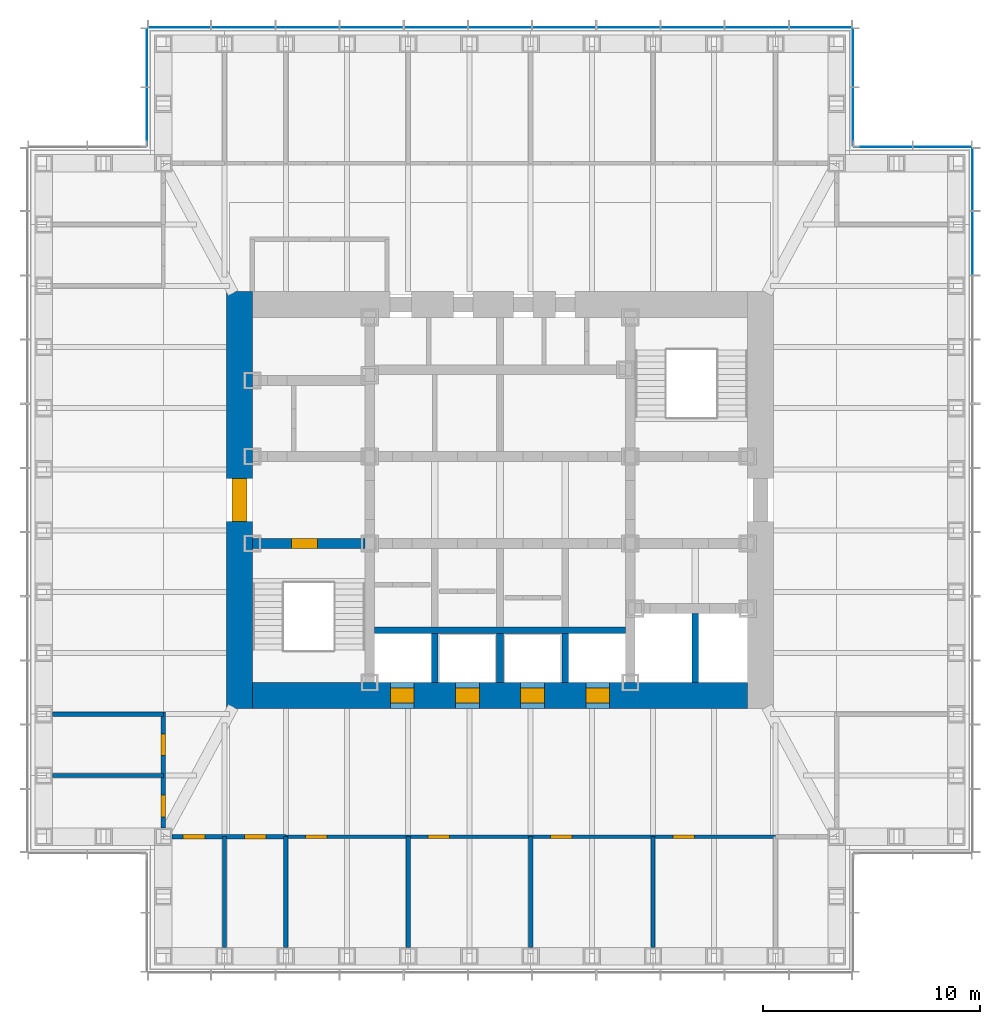
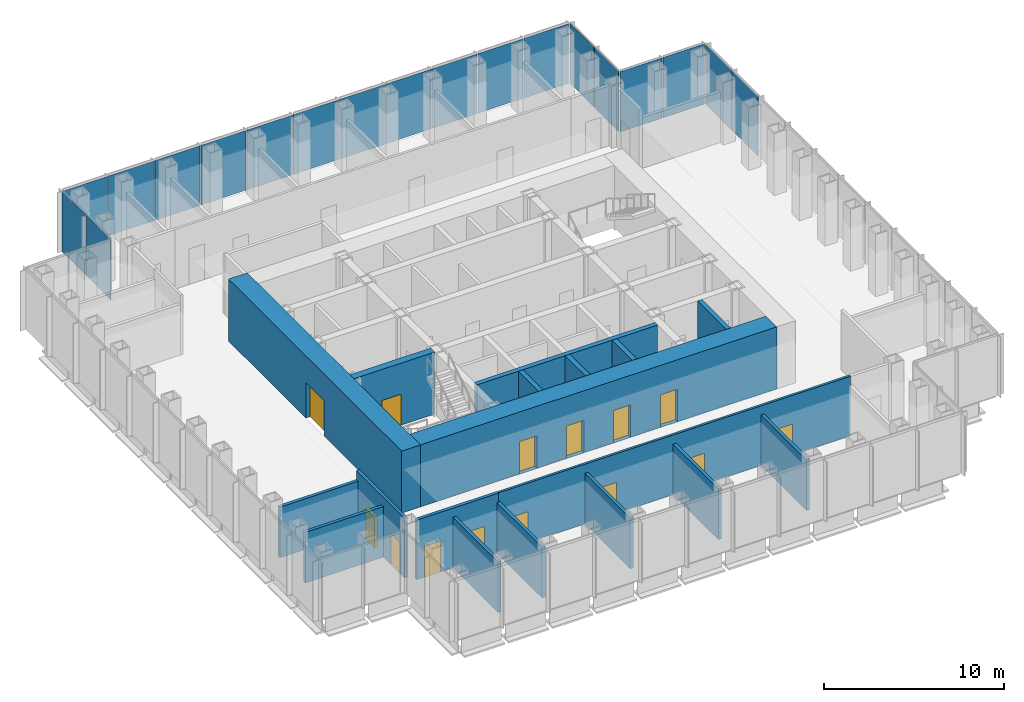
# One storey, part 8 of 17: 19 plates, 18 walls, 14 doors, 14 openings, 5 elements without a shape of their own.
"""IFC4 building model written with IfcOpenShell, lengths in metres."""

from ifc_helpers import new_model, si_unit, direction, frame, frame_2d, origin, origin_2d, place, context, subcontext, project, spatial, rectangle, extrude, material, layer, layer_set, type_object, element, fill, aggregate, save


model = new_model("IFC4")

# Units and contexts
model_context = context("Model", 3, precision=1e-05, world=origin(), true_north=direction((0.0, 1.0)))
body_context = subcontext(model_context, "Body", "Model", "MODEL_VIEW")
ifc_project = project(units=[si_unit("LENGTHUNIT", "METRE"), si_unit("AREAUNIT", "SQUARE_METRE"), si_unit("VOLUMEUNIT", "CUBIC_METRE"), si_unit("PLANEANGLEUNIT", "RADIAN"), si_unit("MASSUNIT", "GRAM", prefix="KILO")], contexts=[model_context])

# Site, building, storey
site_placement = place(None, origin())
site = spatial("IfcSite", under=ifc_project, at=site_placement, CompositionType="ELEMENT")
building_placement = place(site_placement, origin())
building = spatial("IfcBuilding", under=site, at=building_placement, Name="Daluyong Arena Tower", CompositionType="ELEMENT")
storey_placement = place(building_placement, frame((0.0, 0.0, 223.300048828125)))
storey = spatial("IfcBuildingStorey", under=building, at=storey_placement, Name="L50", CompositionType="ELEMENT", Elevation=223.300048828125)

# Curtain wall, plates
ifc_material_1 = material(Name="Bronze anodised aluminium and glass", Category="aluminium")
curtain_wall_type_1 = type_object("IfcCurtainWallType", Name="Curtain wall CW3", PredefinedType="USERDEFINED", material=ifc_material_1)
curtain_wall_1_placement = place(storey_placement, origin())
curtain_wall_1 = element("IfcCurtainWall", 1, at=curtain_wall_1_placement, inside=storey, type_object=curtain_wall_type_1, Name="curtain wall L50 E", ObjectType="UNITISED CURTAIN WALL", PredefinedType="USERDEFINED")
ifc_material_2 = material(Name="Tinted double glazed unit", Category="glass")
ifc_layer_1 = layer(ifc_material_2, 0.030029296875)
ifc_layer_set_1 = layer_set([ifc_layer_1], Name="Tinted double glazed unit")
plate_type_1 = type_object("IfcPlateType", Name="CW3 panel 30", PredefinedType="CURTAIN_PANEL", material=ifc_layer_set_1)
plate_1_placement = place(storey_placement, frame((77.75, 91.818115234375, 0.0), z_axis=(0.0, 0.0, 1.0), x_axis=(0.0, 1.0, 0.0)))
plate_1 = element("IfcPlate", 2, at=plate_1_placement, type_object=plate_type_1, Name="curtain wall L50 E panel 10", PredefinedType="CURTAIN_PANEL", context=body_context, shape_type="SweptSolid", body=[
    extrude(rectangle(XDim=2.884521484375, YDim=0.030029296875, at=origin_2d()), origin(), (0.0, 0.0, 1.0), 4.0400390625),
])
plate_2_placement = place(storey_placement, frame((77.75, 94.755126953125, 0.0), z_axis=(0.0, 0.0, 1.0), x_axis=(0.0, 1.0, 0.0)))
plate_2 = element("IfcPlate", 3, at=plate_2_placement, type_object=plate_type_1, Name="curtain wall L50 E panel 11", PredefinedType="CURTAIN_PANEL", context=body_context, shape_type="SweptSolid", body=[
    extrude(rectangle(XDim=2.849609375, YDim=0.030029296875, at=origin_2d()), origin(), (0.0, 0.0, 1.0), 4.0400390625),
])
aggregate(curtain_wall_1, [plate_1, plate_2])

curtain_wall_2_placement = place(storey_placement, origin())
curtain_wall_2 = element("IfcCurtainWall", 4, at=curtain_wall_2_placement, inside=storey, type_object=curtain_wall_type_1, Name="curtain wall L50 N", ObjectType="UNITISED CURTAIN WALL", PredefinedType="USERDEFINED")
plate_3_placement = place(storey_placement, frame((70.755126953125, 101.75, 0.0), z_axis=(0.0, 0.0, 1.0), x_axis=(-1.0, 0.0, 0.0)))
plate_3 = element("IfcPlate", 5, at=plate_3_placement, type_object=plate_type_1, Name="curtain wall L50 N panel 1", PredefinedType="CURTAIN_PANEL", context=body_context, shape_type="SweptSolid", body=[
    extrude(rectangle(XDim=2.849609375, YDim=0.030029296875, at=origin_2d()), origin(), (0.0, 0.0, 1.0), 4.0400390625),
])
plate_4_placement = place(storey_placement, frame((67.818115234375, 101.75, 0.0), z_axis=(0.0, 0.0, 1.0), x_axis=(-1.0, 0.0, 0.0)))
plate_4 = element("IfcPlate", 6, at=plate_4_placement, type_object=plate_type_1, Name="curtain wall L50 N panel 2", PredefinedType="CURTAIN_PANEL", context=body_context, shape_type="SweptSolid", body=[
    extrude(rectangle(XDim=2.884521484375, YDim=0.030029296875, at=origin_2d()), origin(), (0.0, 0.0, 1.0), 4.0400390625),
])
plate_5_placement = place(storey_placement, frame((64.863525390625, 101.75, 0.0), z_axis=(0.0, 0.0, 1.0), x_axis=(-1.0, 0.0, 0.0)))
plate_5 = element("IfcPlate", 7, at=plate_5_placement, type_object=plate_type_1, Name="curtain wall L50 N panel 3", PredefinedType="CURTAIN_PANEL", context=body_context, shape_type="SweptSolid", body=[
    extrude(rectangle(XDim=2.884521484375, YDim=0.030029296875, at=origin_2d()), origin(), (0.0, 0.0, 1.0), 4.0400390625),
])
plate_6_placement = place(storey_placement, frame((61.9091796875, 101.75, 0.0), z_axis=(0.0, 0.0, 1.0), x_axis=(-1.0, 0.0, 0.0)))
plate_6 = element("IfcPlate", 8, at=plate_6_placement, type_object=plate_type_1, Name="curtain wall L50 N panel 4", PredefinedType="CURTAIN_PANEL", context=body_context, shape_type="SweptSolid", body=[
    extrude(rectangle(XDim=2.884521484375, YDim=0.030029296875, at=origin_2d()), origin(), (0.0, 0.0, 1.0), 4.0400390625),
])
plate_7_placement = place(storey_placement, frame((58.95458984375, 101.75, 0.0), z_axis=(0.0, 0.0, 1.0), x_axis=(-1.0, 0.0, 0.0)))
plate_7 = element("IfcPlate", 9, at=plate_7_placement, type_object=plate_type_1, Name="curtain wall L50 N panel 5", PredefinedType="CURTAIN_PANEL", context=body_context, shape_type="SweptSolid", body=[
    extrude(rectangle(XDim=2.884521484375, YDim=0.030029296875, at=origin_2d()), origin(), (0.0, 0.0, 1.0), 4.0400390625),
])
plate_8_placement = place(storey_placement, frame((56.0, 101.75, 0.0), z_axis=(0.0, 0.0, 1.0), x_axis=(-1.0, 0.0, 0.0)))
plate_8 = element("IfcPlate", 10, at=plate_8_placement, type_object=plate_type_1, Name="curtain wall L50 N panel 6", PredefinedType="CURTAIN_PANEL", context=body_context, shape_type="SweptSolid", body=[
    extrude(rectangle(XDim=2.884521484375, YDim=0.030029296875, at=origin_2d()), origin(), (0.0, 0.0, 1.0), 4.0400390625),
])
plate_9_placement = place(storey_placement, frame((53.04541015625, 101.75, 0.0), z_axis=(0.0, 0.0, 1.0), x_axis=(-1.0, 0.0, 0.0)))
plate_9 = element("IfcPlate", 11, at=plate_9_placement, type_object=plate_type_1, Name="curtain wall L50 N panel 7", PredefinedType="CURTAIN_PANEL", context=body_context, shape_type="SweptSolid", body=[
    extrude(rectangle(XDim=2.884521484375, YDim=0.030029296875, at=origin_2d()), origin(), (0.0, 0.0, 1.0), 4.0400390625),
])
plate_10_placement = place(storey_placement, frame((50.0908203125, 101.75, 0.0), z_axis=(0.0, 0.0, 1.0), x_axis=(-1.0, 0.0, 0.0)))
plate_10 = element("IfcPlate", 12, at=plate_10_placement, type_object=plate_type_1, Name="curtain wall L50 N panel 8", PredefinedType="CURTAIN_PANEL", context=body_context, shape_type="SweptSolid", body=[
    extrude(rectangle(XDim=2.884521484375, YDim=0.030029296875, at=origin_2d()), origin(), (0.0, 0.0, 1.0), 4.0400390625),
])
plate_11_placement = place(storey_placement, frame((47.136474609375, 101.75, 0.0), z_axis=(0.0, 0.0, 1.0), x_axis=(-1.0, 0.0, 0.0)))
plate_11 = element("IfcPlate", 13, at=plate_11_placement, type_object=plate_type_1, Name="curtain wall L50 N panel 9", PredefinedType="CURTAIN_PANEL", context=body_context, shape_type="SweptSolid", body=[
    extrude(rectangle(XDim=2.884521484375, YDim=0.030029296875, at=origin_2d()), origin(), (0.0, 0.0, 1.0), 4.0400390625),
])
plate_12_placement = place(storey_placement, frame((44.181884765625, 101.75, 0.0), z_axis=(0.0, 0.0, 1.0), x_axis=(-1.0, 0.0, 0.0)))
plate_12 = element("IfcPlate", 14, at=plate_12_placement, type_object=plate_type_1, Name="curtain wall L50 N panel 10", PredefinedType="CURTAIN_PANEL", context=body_context, shape_type="SweptSolid", body=[
    extrude(rectangle(XDim=2.884521484375, YDim=0.030029296875, at=origin_2d()), origin(), (0.0, 0.0, 1.0), 4.0400390625),
])
plate_13_placement = place(storey_placement, frame((41.244873046875, 101.75, 0.0), z_axis=(0.0, 0.0, 1.0), x_axis=(-1.0, 0.0, 0.0)))
plate_13 = element("IfcPlate", 15, at=plate_13_placement, type_object=plate_type_1, Name="curtain wall L50 N panel 11", PredefinedType="CURTAIN_PANEL", context=body_context, shape_type="SweptSolid", body=[
    extrude(rectangle(XDim=2.849609375, YDim=0.030029296875, at=origin_2d()), origin(), (0.0, 0.0, 1.0), 4.0400390625),
])
aggregate(curtain_wall_2, [plate_3, plate_4, plate_5, plate_6, plate_7, plate_8, plate_9, plate_10, plate_11, plate_12, plate_13])

ifc_material_3 = material(Name="Bronze anodised aluminium and glass", Category="aluminium")
curtain_wall_type_2 = type_object("IfcCurtainWallType", Name="Curtain wall CW7", PredefinedType="USERDEFINED", material=ifc_material_3)
curtain_wall_3_placement = place(storey_placement, origin())
curtain_wall_3 = element("IfcCurtainWall", 16, at=curtain_wall_3_placement, inside=storey, type_object=curtain_wall_type_2, Name="curtain wall L50 NE-N", ObjectType="UNITISED CURTAIN WALL", PredefinedType="USERDEFINED")
ifc_material_4 = material(Name="Tinted double glazed unit", Category="glass")
ifc_layer_2 = layer(ifc_material_4, 0.028076171875)
ifc_layer_set_2 = layer_set([ifc_layer_2], Name="Tinted double glazed unit")
plate_type_2 = type_object("IfcPlateType", Name="CW7 panel 28", PredefinedType="CURTAIN_PANEL", material=ifc_layer_set_2)
plate_14_placement = place(storey_placement, frame((76.360107421875, 96.25, 0.0), z_axis=(0.0, 0.0, 1.0), x_axis=(-1.0, 0.0, 0.0)))
plate_14 = element("IfcPlate", 17, at=plate_14_placement, type_object=plate_type_2, Name="curtain wall L50 NE-N panel 1", PredefinedType="CURTAIN_PANEL", context=body_context, shape_type="SweptSolid", body=[
    extrude(rectangle(XDim=2.659912109375, YDim=0.028076171875, at=origin_2d()), origin(), (0.0, 0.0, 1.0), 4.080078125),
])
plate_15_placement = place(storey_placement, frame((73.639892578125, 96.25, 0.0), z_axis=(0.0, 0.0, 1.0), x_axis=(-1.0, 0.0, 0.0)))
plate_15 = element("IfcPlate", 18, at=plate_15_placement, type_object=plate_type_2, Name="curtain wall L50 NE-N panel 2", PredefinedType="CURTAIN_PANEL", context=body_context, shape_type="SweptSolid", body=[
    extrude(rectangle(XDim=2.659912109375, YDim=0.028076171875, at=origin_2d()), origin(), (0.0, 0.0, 1.0), 4.080078125),
])
aggregate(curtain_wall_3, [plate_14, plate_15])

curtain_wall_4_placement = place(storey_placement, origin())
curtain_wall_4 = element("IfcCurtainWall", 19, at=curtain_wall_4_placement, inside=storey, type_object=curtain_wall_type_2, Name="curtain wall L50 NE-E", ObjectType="UNITISED CURTAIN WALL", PredefinedType="USERDEFINED")
plate_16_placement = place(storey_placement, frame((72.25, 97.639892578125, 0.0), z_axis=(0.0, 0.0, 1.0), x_axis=(0.0, 1.0, 0.0)))
plate_16 = element("IfcPlate", 20, at=plate_16_placement, type_object=plate_type_2, Name="curtain wall L50 NE-E panel 1", PredefinedType="CURTAIN_PANEL", context=body_context, shape_type="SweptSolid", body=[
    extrude(rectangle(XDim=2.659912109375, YDim=0.028076171875, at=origin_2d()), origin(), (0.0, 0.0, 1.0), 4.080078125),
])
plate_17_placement = place(storey_placement, frame((72.25, 100.360107421875, 0.0), z_axis=(0.0, 0.0, 1.0), x_axis=(0.0, 1.0, 0.0)))
plate_17 = element("IfcPlate", 21, at=plate_17_placement, type_object=plate_type_2, Name="curtain wall L50 NE-E panel 2", PredefinedType="CURTAIN_PANEL", context=body_context, shape_type="SweptSolid", body=[
    extrude(rectangle(XDim=2.659912109375, YDim=0.028076171875, at=origin_2d()), origin(), (0.0, 0.0, 1.0), 4.080078125),
])
aggregate(curtain_wall_4, [plate_16, plate_17])

curtain_wall_5_placement = place(storey_placement, origin())
curtain_wall_5 = element("IfcCurtainWall", 22, at=curtain_wall_5_placement, inside=storey, type_object=curtain_wall_type_2, Name="curtain wall L50 NW-W", ObjectType="UNITISED CURTAIN WALL", PredefinedType="USERDEFINED")
plate_18_placement = place(storey_placement, frame((39.75, 100.360107421875, 0.0), z_axis=(0.0, 0.0, 1.0), x_axis=(0.0, -1.0, 0.0)))
plate_18 = element("IfcPlate", 23, at=plate_18_placement, type_object=plate_type_2, Name="curtain wall L50 NW-W panel 1", PredefinedType="CURTAIN_PANEL", context=body_context, shape_type="SweptSolid", body=[
    extrude(rectangle(XDim=2.659912109375, YDim=0.028076171875, at=origin_2d()), origin(), (0.0, 0.0, 1.0), 4.080078125),
])
plate_19_placement = place(storey_placement, frame((39.75, 97.639892578125, 0.0), z_axis=(0.0, 0.0, 1.0), x_axis=(0.0, -1.0, 0.0)))
plate_19 = element("IfcPlate", 24, at=plate_19_placement, type_object=plate_type_2, Name="curtain wall L50 NW-W panel 2", PredefinedType="CURTAIN_PANEL", context=body_context, shape_type="SweptSolid", body=[
    extrude(rectangle(XDim=2.659912109375, YDim=0.028076171875, at=origin_2d()), origin(), (0.0, 0.0, 1.0), 4.080078125),
])
aggregate(curtain_wall_5, [plate_18, plate_19])

# Wall, opening, door
ifc_material_5 = material(Name="Concrete fc' 45 MPa", Category="concrete")
ifc_layer_3 = layer(ifc_material_5, 0.449951171875)
ifc_layer_set_3 = layer_set([ifc_layer_3], Name="Concrete fc' 45 MPa")
wall_type_1 = type_object("IfcWallType", Name="Core inner wall 450", PredefinedType="SHEAR", material=ifc_layer_set_3)
wall_1_placement = place(storey_placement, frame((44.60009765625, 78.0, 0.0), z_axis=(0.0, 0.0, 1.0), x_axis=(1.0, 0.0, 0.0)))
wall_1 = element("IfcWall", 25, at=wall_1_placement, inside=storey, type_object=wall_type_1, Name="core inner wall at L50", PredefinedType="SHEAR", context=body_context, shape_type="SweptSolid", body=[
    extrude(rectangle(XDim=5.1748046875, YDim=0.449951171875, at=frame_2d((2.58740234375, 0.0))), origin(), (0.0, 0.0, 1.0), 4.199951171875),
])
opening_1_placement = place(wall_1_placement, frame((1.800048828125, 0.0, 0.0)))
opening_1 = element("IfcOpeningElement", 26, at=opening_1_placement, cuts=wall_1, Name="Opening 50020", PredefinedType="OPENING", context=body_context, shape_type="SweptSolid", body=[
    extrude(rectangle(XDim=1.199951171875, YDim=2.10009765625, at=frame_2d((0.60009765625, 1.050048828125))), frame((0.0, 0.23486328125, 0.0), z_axis=(0.0, -1.0, 0.0), x_axis=(1.0, 0.0, 0.0)), (0.0, 0.0, 1.0), 0.469970703125),
])
ifc_material_6 = material(Name="Steel door, fire rated", Category="steel")
door_type_1 = type_object("IfcDoorType", Name="Stair door 1200", OperationType="SINGLE_SWING_LEFT", PredefinedType="DOOR", material=ifc_material_6)
door_1_placement = place(opening_1_placement, origin())
door_1 = element("IfcDoor", 27, at=door_1_placement, inside=storey, type_object=door_type_1, Name="stair A door 50020", OperationType="SINGLE_SWING_LEFT", OverallHeight=2.10009765625, OverallWidth=1.199951171875, PredefinedType="DOOR", context=body_context, shape_type="SweptSolid", body=[
    extrude(rectangle(XDim=1.199951171875, YDim=2.10009765625, at=frame_2d((0.60009765625, 1.050048828125))), frame((0.0, 0.224609375, 0.0), z_axis=(0.0, -1.0, 0.0), x_axis=(1.0, 0.0, 0.0)), (0.0, 0.0, 1.0), 0.449462890625),
])
fill(opening_1, door_1)

ifc_material_7 = material(Name="Concrete fc' 60 MPa", Category="concrete")
ifc_layer_4 = layer(ifc_material_7, 1.199951171875)
ifc_layer_set_4 = layer_set([ifc_layer_4], Name="Concrete fc' 60 MPa")
wall_type_2 = type_object("IfcWallType", Name="Core wall 1200", PredefinedType="SHEAR", material=ifc_layer_set_4)
wall_2_placement = place(storey_placement, frame((44.0, 70.39990234375, 0.0), z_axis=(0.0, 0.0, 1.0), x_axis=(0.0, 1.0, 0.0)))
wall_2 = element("IfcWall", 28, at=wall_2_placement, inside=storey, type_object=wall_type_2, Name="core wall at L50", PredefinedType="SHEAR", context=body_context, shape_type="SweptSolid", body=[
    extrude(rectangle(XDim=19.2001953125, YDim=1.199951171875, at=frame_2d((9.60009765625, 0.0))), origin(), (0.0, 0.0, 1.0), 4.199951171875),
])
opening_2_placement = place(wall_2_placement, frame((8.60009765625, 0.0, 0.0)))
opening_2 = element("IfcOpeningElement", 29, at=opening_2_placement, cuts=wall_2, Name="Opening 50022", PredefinedType="OPENING", context=body_context, shape_type="SweptSolid", body=[
    extrude(rectangle(XDim=2.0, YDim=2.39990234375, at=frame_2d((1.0, 1.199951171875))), frame((0.0, 0.60986328125, 0.0), z_axis=(0.0, -1.0, 0.0), x_axis=(1.0, 0.0, 0.0)), (0.0, 0.0, 1.0), 1.219970703125),
])
ifc_material_8 = material(Name="Steel door, fire rated", Category="steel")
door_type_2 = type_object("IfcDoorType", Name="Core lobby double door 2000", OperationType="DOUBLE_DOOR_SINGLE_SWING", PredefinedType="DOOR", material=ifc_material_8)
door_2_placement = place(opening_2_placement, origin())
door_2 = element("IfcDoor", 30, at=door_2_placement, inside=storey, type_object=door_type_2, Name="core lobby door west 50022", OperationType="DOUBLE_DOOR_SINGLE_SWING", OverallHeight=2.39990234375, OverallWidth=2.0, PredefinedType="DOOR", context=body_context, shape_type="SweptSolid", body=[
    extrude(rectangle(XDim=2.0, YDim=2.39990234375, at=frame_2d((1.0, 1.199951171875))), frame((0.0, 0.35009765625, 0.0), z_axis=(0.0, -1.0, 0.0), x_axis=(1.0, 0.0, 0.0)), (0.0, 0.0, 1.0), 0.699951171875),
])
fill(opening_2, door_2)

# Wall, openings, doors
wall_3_placement = place(storey_placement, frame((44.60009765625, 71.0, 0.0), z_axis=(0.0, 0.0, 1.0), x_axis=(1.0, 0.0, 0.0)))
wall_3 = element("IfcWall", 31, at=wall_3_placement, inside=storey, type_object=wall_type_2, Name="core wall at L50", PredefinedType="SHEAR", context=body_context, shape_type="SweptSolid", body=[
    extrude(rectangle(XDim=22.7998046875, YDim=1.199951171875, at=frame_2d((11.39990234375, 0.0))), origin(), (0.0, 0.0, 1.0), 4.199951171875),
])
opening_3_placement = place(wall_3_placement, frame((6.35009765625, 0.0, 0.0)))
opening_3 = element("IfcOpeningElement", 32, at=opening_3_placement, cuts=wall_3, Name="Opening 50027", PredefinedType="OPENING", context=body_context, shape_type="SweptSolid", body=[
    extrude(rectangle(XDim=1.10009765625, YDim=2.199951171875, at=frame_2d((0.550048828125, 1.10009765625))), frame((0.0, 0.60986328125, 0.0), z_axis=(0.0, -1.0, 0.0), x_axis=(1.0, 0.0, 0.0)), (0.0, 0.0, 1.0), 1.219970703125),
])
opening_4_placement = place(wall_3_placement, frame((9.35009765625, 0.0, 0.0)))
opening_4 = element("IfcOpeningElement", 33, at=opening_4_placement, cuts=wall_3, Name="Opening 50028", PredefinedType="OPENING", context=body_context, shape_type="SweptSolid", body=[
    extrude(rectangle(XDim=1.10009765625, YDim=2.199951171875, at=frame_2d((0.550048828125, 1.10009765625))), frame((0.0, 0.60986328125, 0.0), z_axis=(0.0, -1.0, 0.0), x_axis=(1.0, 0.0, 0.0)), (0.0, 0.0, 1.0), 1.219970703125),
])
opening_5_placement = place(wall_3_placement, frame((12.35009765625, 0.0, 0.0)))
opening_5 = element("IfcOpeningElement", 34, at=opening_5_placement, cuts=wall_3, Name="Opening 50029", PredefinedType="OPENING", context=body_context, shape_type="SweptSolid", body=[
    extrude(rectangle(XDim=1.10009765625, YDim=2.199951171875, at=frame_2d((0.550048828125, 1.10009765625))), frame((0.0, 0.60986328125, 0.0), z_axis=(0.0, -1.0, 0.0), x_axis=(1.0, 0.0, 0.0)), (0.0, 0.0, 1.0), 1.219970703125),
])
opening_6_placement = place(wall_3_placement, frame((15.35009765625, 0.0, 0.0)))
opening_6 = element("IfcOpeningElement", 35, at=opening_6_placement, cuts=wall_3, Name="Opening 50030", PredefinedType="OPENING", context=body_context, shape_type="SweptSolid", body=[
    extrude(rectangle(XDim=1.10009765625, YDim=2.199951171875, at=frame_2d((0.550048828125, 1.10009765625))), frame((0.0, 0.60986328125, 0.0), z_axis=(0.0, -1.0, 0.0), x_axis=(1.0, 0.0, 0.0)), (0.0, 0.0, 1.0), 1.219970703125),
])
ifc_material_9 = material(Name="Steel door, fire rated", Category="steel")
door_type_3 = type_object("IfcDoorType", Name="Lift landing door 1100", OperationType="SLIDING_TO_LEFT", PredefinedType="DOOR", material=ifc_material_9)
door_3_placement = place(opening_3_placement, origin())
door_3 = element("IfcDoor", 36, at=door_3_placement, inside=storey, type_object=door_type_3, Name="lift landing door C1 50027", OperationType="SLIDING_TO_LEFT", OverallHeight=2.199951171875, OverallWidth=1.10009765625, PredefinedType="DOOR", context=body_context, shape_type="SweptSolid", body=[
    extrude(rectangle(XDim=1.10009765625, YDim=2.199951171875, at=frame_2d((0.550048828125, 1.10009765625))), frame((0.0, 0.35009765625, 0.0), z_axis=(0.0, -1.0, 0.0), x_axis=(1.0, 0.0, 0.0)), (0.0, 0.0, 1.0), 0.699951171875),
])
fill(opening_3, door_3)
door_4_placement = place(opening_4_placement, origin())
door_4 = element("IfcDoor", 37, at=door_4_placement, inside=storey, type_object=door_type_3, Name="lift landing door C2 50028", OperationType="SLIDING_TO_LEFT", OverallHeight=2.199951171875, OverallWidth=1.10009765625, PredefinedType="DOOR", context=body_context, shape_type="SweptSolid", body=[
    extrude(rectangle(XDim=1.10009765625, YDim=2.199951171875, at=frame_2d((0.550048828125, 1.10009765625))), frame((0.0, 0.35009765625, 0.0), z_axis=(0.0, -1.0, 0.0), x_axis=(1.0, 0.0, 0.0)), (0.0, 0.0, 1.0), 0.699951171875),
])
fill(opening_4, door_4)
door_5_placement = place(opening_5_placement, origin())
door_5 = element("IfcDoor", 38, at=door_5_placement, inside=storey, type_object=door_type_3, Name="lift landing door C3 50029", OperationType="SLIDING_TO_LEFT", OverallHeight=2.199951171875, OverallWidth=1.10009765625, PredefinedType="DOOR", context=body_context, shape_type="SweptSolid", body=[
    extrude(rectangle(XDim=1.10009765625, YDim=2.199951171875, at=frame_2d((0.550048828125, 1.10009765625))), frame((0.0, 0.35009765625, 0.0), z_axis=(0.0, -1.0, 0.0), x_axis=(1.0, 0.0, 0.0)), (0.0, 0.0, 1.0), 0.699951171875),
])
fill(opening_5, door_5)
door_6_placement = place(opening_6_placement, origin())
door_6 = element("IfcDoor", 39, at=door_6_placement, inside=storey, type_object=door_type_3, Name="lift landing door C4 50030", OperationType="SLIDING_TO_LEFT", OverallHeight=2.199951171875, OverallWidth=1.10009765625, PredefinedType="DOOR", context=body_context, shape_type="SweptSolid", body=[
    extrude(rectangle(XDim=1.10009765625, YDim=2.199951171875, at=frame_2d((0.550048828125, 1.10009765625))), frame((0.0, 0.35009765625, 0.0), z_axis=(0.0, -1.0, 0.0), x_axis=(1.0, 0.0, 0.0)), (0.0, 0.0, 1.0), 0.699951171875),
])
fill(opening_6, door_6)

ifc_material_10 = material(Name="Glazed aluminium partition", Category="aluminium")
ifc_layer_5 = layer(ifc_material_10, 0.14990234375)
ifc_layer_set_5 = layer_set([ifc_layer_5], Name="Glazed aluminium partition")
wall_type_3 = type_object("IfcWallType", Name="Glazed partition 150", PredefinedType="PARTITIONING", material=ifc_layer_set_5)
wall_4_placement = place(storey_placement, frame((46.136474609375, 64.5, 0.0), z_axis=(0.0, 0.0, 1.0), x_axis=(1.0, 0.0, 0.0)))
wall_4 = element("IfcWall", 40, at=wall_4_placement, inside=storey, type_object=wall_type_3, Name="glazed partition at L50", PredefinedType="PARTITIONING", context=body_context, shape_type="SweptSolid", body=[
    extrude(rectangle(XDim=22.54541015625, YDim=0.14990234375, at=frame_2d((11.272705078125, 0.0))), origin(), (0.0, 0.0, 1.0), 4.0400390625),
])
opening_7_placement = place(wall_4_placement, frame((0.9091796875, 0.0, 0.0)))
opening_7 = element("IfcOpeningElement", 41, at=opening_7_placement, cuts=wall_4, Name="Opening 50035", PredefinedType="OPENING", context=body_context, shape_type="SweptSolid", body=[
    extrude(rectangle(XDim=1.0, YDim=2.10009765625, at=frame_2d((0.5, 1.050048828125))), frame((0.0, 0.0849609375, 0.0), z_axis=(0.0, -1.0, 0.0), x_axis=(1.0, 0.0, 0.0)), (0.0, 0.0, 1.0), 0.169921875),
])
opening_8_placement = place(wall_4_placement, frame((6.54541015625, 0.0, 0.0)))
opening_8 = element("IfcOpeningElement", 42, at=opening_8_placement, cuts=wall_4, Name="Opening 50036", PredefinedType="OPENING", context=body_context, shape_type="SweptSolid", body=[
    extrude(rectangle(XDim=1.0, YDim=2.10009765625, at=frame_2d((0.5, 1.050048828125))), frame((0.0, 0.0849609375, 0.0), z_axis=(0.0, -1.0, 0.0), x_axis=(1.0, 0.0, 0.0)), (0.0, 0.0, 1.0), 0.169921875),
])
opening_9_placement = place(wall_4_placement, frame((12.181884765625, 0.0, 0.0)))
opening_9 = element("IfcOpeningElement", 43, at=opening_9_placement, cuts=wall_4, Name="Opening 50037", PredefinedType="OPENING", context=body_context, shape_type="SweptSolid", body=[
    extrude(rectangle(XDim=1.0, YDim=2.10009765625, at=frame_2d((0.5, 1.050048828125))), frame((0.0, 0.0849609375, 0.0), z_axis=(0.0, -1.0, 0.0), x_axis=(1.0, 0.0, 0.0)), (0.0, 0.0, 1.0), 0.169921875),
])
opening_10_placement = place(wall_4_placement, frame((17.818115234375, 0.0, 0.0)))
opening_10 = element("IfcOpeningElement", 44, at=opening_10_placement, cuts=wall_4, Name="Opening 50038", PredefinedType="OPENING", context=body_context, shape_type="SweptSolid", body=[
    extrude(rectangle(XDim=1.0, YDim=2.10009765625, at=frame_2d((0.5, 1.050048828125))), frame((0.0, 0.0849609375, 0.0), z_axis=(0.0, -1.0, 0.0), x_axis=(1.0, 0.0, 0.0)), (0.0, 0.0, 1.0), 0.169921875),
])
ifc_material_11 = material(Name="Timber door", Category="wood")
door_type_4 = type_object("IfcDoorType", Name="Room door 1000", OperationType="SINGLE_SWING_LEFT", PredefinedType="DOOR", material=ifc_material_11)
door_7_placement = place(opening_7_placement, origin())
door_7 = element("IfcDoor", 45, at=door_7_placement, inside=storey, type_object=door_type_4, Name="office door 50035", OperationType="SINGLE_SWING_LEFT", OverallHeight=2.10009765625, OverallWidth=1.0, PredefinedType="DOOR", context=body_context, shape_type="SweptSolid", body=[
    extrude(rectangle(XDim=1.0, YDim=2.10009765625, at=frame_2d((0.5, 1.050048828125))), frame((0.0, 0.07470703125, 0.0), z_axis=(0.0, -1.0, 0.0), x_axis=(1.0, 0.0, 0.0)), (0.0, 0.0, 1.0), 0.1494140625),
])
fill(opening_7, door_7)
door_8_placement = place(opening_8_placement, origin())
door_8 = element("IfcDoor", 46, at=door_8_placement, inside=storey, type_object=door_type_4, Name="office door 50036", OperationType="SINGLE_SWING_LEFT", OverallHeight=2.10009765625, OverallWidth=1.0, PredefinedType="DOOR", context=body_context, shape_type="SweptSolid", body=[
    extrude(rectangle(XDim=1.0, YDim=2.10009765625, at=frame_2d((0.5, 1.050048828125))), frame((0.0, 0.07470703125, 0.0), z_axis=(0.0, -1.0, 0.0), x_axis=(1.0, 0.0, 0.0)), (0.0, 0.0, 1.0), 0.1494140625),
])
fill(opening_8, door_8)
door_9_placement = place(opening_9_placement, origin())
door_9 = element("IfcDoor", 47, at=door_9_placement, inside=storey, type_object=door_type_4, Name="office door 50037", OperationType="SINGLE_SWING_LEFT", OverallHeight=2.10009765625, OverallWidth=1.0, PredefinedType="DOOR", context=body_context, shape_type="SweptSolid", body=[
    extrude(rectangle(XDim=1.0, YDim=2.10009765625, at=frame_2d((0.5, 1.050048828125))), frame((0.0, 0.07470703125, 0.0), z_axis=(0.0, -1.0, 0.0), x_axis=(1.0, 0.0, 0.0)), (0.0, 0.0, 1.0), 0.1494140625),
])
fill(opening_9, door_9)
door_10_placement = place(opening_10_placement, origin())
door_10 = element("IfcDoor", 48, at=door_10_placement, inside=storey, type_object=door_type_4, Name="office door 50038", OperationType="SINGLE_SWING_LEFT", OverallHeight=2.10009765625, OverallWidth=1.0, PredefinedType="DOOR", context=body_context, shape_type="SweptSolid", body=[
    extrude(rectangle(XDim=1.0, YDim=2.10009765625, at=frame_2d((0.5, 1.050048828125))), frame((0.0, 0.07470703125, 0.0), z_axis=(0.0, -1.0, 0.0), x_axis=(1.0, 0.0, 0.0)), (0.0, 0.0, 1.0), 0.1494140625),
])
fill(opening_10, door_10)

# Walls
ifc_material_12 = material(Name="Concrete fc' 45 MPa", Category="concrete")
ifc_layer_6 = layer(ifc_material_12, 0.300048828125)
ifc_layer_set_6 = layer_set([ifc_layer_6], Name="Concrete fc' 45 MPa")
wall_type_4 = type_object("IfcWallType", Name="Lift shaft wall 300", PredefinedType="SHEAR", material=ifc_layer_set_6)
wall_5_placement = place(storey_placement, frame((50.22509765625, 74.0, 0.0), z_axis=(0.0, 0.0, 1.0), x_axis=(1.0, 0.0, 0.0)))
element("IfcWall", 49, at=wall_5_placement, inside=storey, type_object=wall_type_4, Name="lift shaft wall at L50", PredefinedType="SHEAR", context=body_context, shape_type="SweptSolid", body=[
    extrude(rectangle(XDim=11.5498046875, YDim=0.300048828125, at=frame_2d((5.77490234375, 0.0))), origin(), (0.0, 0.0, 1.0), 4.199951171875),
])
for number, where, z_axis, x_axis, name in (
    (50, (53.0, 71.60009765625, 0.0), (0.0, 0.0, 1.0), (0.0, 1.0, 0.0), "lift shaft wall at L50"),
    (51, (56.0, 71.60009765625, 0.0), (0.0, 0.0, 1.0), (0.0, 1.0, 0.0), "lift shaft wall at L50"),
    (52, (59.0, 71.60009765625, 0.0), (0.0, 0.0, 1.0), (0.0, 1.0, 0.0), "lift shaft wall at L50"),
):
    element("IfcWall", number, at=place(storey_placement, frame(where, z_axis=z_axis, x_axis=x_axis)), inside=storey, type_object=wall_type_4, Name=name, PredefinedType="SHEAR", context=body_context, shape_type="SweptSolid", body=[
        extrude(rectangle(XDim=2.25, YDim=0.300048828125, at=frame_2d((1.125, 0.0))), origin(), (0.0, 0.0, 1.0), 4.199951171875),
    ])
wall_6_placement = place(storey_placement, frame((65.0, 71.60009765625, 0.0), z_axis=(0.0, 0.0, 1.0), x_axis=(0.0, 1.0, 0.0)))
element("IfcWall", 53, at=wall_6_placement, inside=storey, type_object=wall_type_4, Name="lift shaft wall at L50", PredefinedType="SHEAR", context=body_context, shape_type="SweptSolid", body=[
    extrude(rectangle(XDim=3.1748046875, YDim=0.300048828125, at=frame_2d((1.58740234375, 0.0))), origin(), (0.0, 0.0, 1.0), 4.199951171875),
])
ifc_material_13 = material(Name="Concrete block partition", Category="concrete")
ifc_layer_7 = layer(ifc_material_13, 0.199951171875)
ifc_layer_set_7 = layer_set([ifc_layer_7], Name="Concrete block partition")
wall_type_5 = type_object("IfcWallType", Name="Partition 200", PredefinedType="PARTITIONING", material=ifc_layer_set_7)
for number, where, z_axis, x_axis, name in (
    (54, (43.318115234375, 59.39990234375, 0.0), (0.0, 0.0, 1.0), (0.0, 1.0, 0.0), "partition at L50"),
    (55, (46.136474609375, 59.39990234375, 0.0), (0.0, 0.0, 1.0), (0.0, 1.0, 0.0), "partition at L50"),
    (56, (51.772705078125, 59.39990234375, 0.0), (0.0, 0.0, 1.0), (0.0, 1.0, 0.0), "partition at L50"),
    (57, (57.4091796875, 59.39990234375, 0.0), (0.0, 0.0, 1.0), (0.0, 1.0, 0.0), "partition at L50"),
    (58, (63.04541015625, 59.39990234375, 0.0), (0.0, 0.0, 1.0), (0.0, 1.0, 0.0), "partition at L50"),
    (59, (35.39990234375, 67.318115234375, 0.0), (0.0, 0.0, 1.0), (1.0, 0.0, 0.0), "partition at L50"),
    (60, (35.39990234375, 70.136474609375, 0.0), (0.0, 0.0, 1.0), (1.0, 0.0, 0.0), "partition at L50"),
):
    element("IfcWall", number, at=place(storey_placement, frame(where, z_axis=z_axis, x_axis=x_axis)), inside=storey, type_object=wall_type_5, Name=name, PredefinedType="PARTITIONING", context=body_context, shape_type="SweptSolid", body=[
        extrude(rectangle(XDim=5.10009765625, YDim=0.199951171875, at=frame_2d((2.550048828125, 0.0))), origin(), (0.0, 0.0, 1.0), 3.427734375),
    ])

# Wall, openings, doors
wall_7_placement = place(storey_placement, frame((40.89990234375, 64.5, 0.0), z_axis=(0.0, 0.0, 1.0), x_axis=(1.0, 0.0, 0.0)))
wall_7 = element("IfcWall", 61, at=wall_7_placement, inside=storey, type_object=wall_type_5, Name="partition at L50", PredefinedType="PARTITIONING", context=body_context, shape_type="SweptSolid", body=[
    extrude(rectangle(XDim=5.236572265625, YDim=0.199951171875, at=frame_2d((2.6181640625, 0.0))), origin(), (0.0, 0.0, 1.0), 4.0400390625),
])
opening_11_placement = place(wall_7_placement, frame((0.509033203125, 0.0, 0.0)))
opening_11 = element("IfcOpeningElement", 62, at=opening_11_placement, cuts=wall_7, Name="Opening 50033", PredefinedType="OPENING", context=body_context, shape_type="SweptSolid", body=[
    extrude(rectangle(XDim=1.0, YDim=2.10009765625, at=frame_2d((0.5, 1.050048828125))), frame((0.0, 0.10986328125, 0.0), z_axis=(0.0, -1.0, 0.0), x_axis=(1.0, 0.0, 0.0)), (0.0, 0.0, 1.0), 0.219970703125),
])
opening_12_placement = place(wall_7_placement, frame((3.327392578125, 0.0, 0.0)))
opening_12 = element("IfcOpeningElement", 63, at=opening_12_placement, cuts=wall_7, Name="Opening 50034", PredefinedType="OPENING", context=body_context, shape_type="SweptSolid", body=[
    extrude(rectangle(XDim=1.0, YDim=2.10009765625, at=frame_2d((0.5, 1.050048828125))), frame((0.0, 0.10986328125, 0.0), z_axis=(0.0, -1.0, 0.0), x_axis=(1.0, 0.0, 0.0)), (0.0, 0.0, 1.0), 0.219970703125),
])
door_11_placement = place(opening_11_placement, origin())
door_11 = element("IfcDoor", 64, at=door_11_placement, inside=storey, type_object=door_type_4, Name="quiet room door 50033", OperationType="SINGLE_SWING_LEFT", OverallHeight=2.10009765625, OverallWidth=1.0, PredefinedType="DOOR", context=body_context, shape_type="SweptSolid", body=[
    extrude(rectangle(XDim=1.0, YDim=2.10009765625, at=frame_2d((0.5, 1.050048828125))), frame((0.0, 0.099609375, 0.0), z_axis=(0.0, -1.0, 0.0), x_axis=(1.0, 0.0, 0.0)), (0.0, 0.0, 1.0), 0.199462890625),
])
fill(opening_11, door_11)
door_12_placement = place(opening_12_placement, origin())
door_12 = element("IfcDoor", 65, at=door_12_placement, inside=storey, type_object=door_type_4, Name="copy room door 50034", OperationType="SINGLE_SWING_LEFT", OverallHeight=2.10009765625, OverallWidth=1.0, PredefinedType="DOOR", context=body_context, shape_type="SweptSolid", body=[
    extrude(rectangle(XDim=1.0, YDim=2.10009765625, at=frame_2d((0.5, 1.050048828125))), frame((0.0, 0.099609375, 0.0), z_axis=(0.0, -1.0, 0.0), x_axis=(1.0, 0.0, 0.0)), (0.0, 0.0, 1.0), 0.199462890625),
])
fill(opening_12, door_12)

wall_8_placement = place(storey_placement, frame((40.5, 64.89990234375, 0.0), z_axis=(0.0, 0.0, 1.0), x_axis=(0.0, 1.0, 0.0)))
wall_8 = element("IfcWall", 66, at=wall_8_placement, inside=storey, type_object=wall_type_5, Name="partition at L50", PredefinedType="PARTITIONING", context=body_context, shape_type="SweptSolid", body=[
    extrude(rectangle(XDim=5.33642578125, YDim=0.199951171875, at=frame_2d((2.668212890625, 0.0))), origin(), (0.0, 0.0, 1.0), 4.0400390625),
])
opening_13_placement = place(wall_8_placement, frame((0.509033203125, 0.0, 0.0)))
opening_13 = element("IfcOpeningElement", 67, at=opening_13_placement, cuts=wall_8, Name="Opening 50049", PredefinedType="OPENING", context=body_context, shape_type="SweptSolid", body=[
    extrude(rectangle(XDim=1.0, YDim=2.10009765625, at=frame_2d((0.5, 1.050048828125))), frame((0.0, 0.10986328125, 0.0), z_axis=(0.0, -1.0, 0.0), x_axis=(1.0, 0.0, 0.0)), (0.0, 0.0, 1.0), 0.219970703125),
])
opening_14_placement = place(wall_8_placement, frame((3.327392578125, 0.0, 0.0)))
opening_14 = element("IfcOpeningElement", 68, at=opening_14_placement, cuts=wall_8, Name="Opening 50050", PredefinedType="OPENING", context=body_context, shape_type="SweptSolid", body=[
    extrude(rectangle(XDim=1.0, YDim=2.10009765625, at=frame_2d((0.5, 1.050048828125))), frame((0.0, 0.10986328125, 0.0), z_axis=(0.0, -1.0, 0.0), x_axis=(1.0, 0.0, 0.0)), (0.0, 0.0, 1.0), 0.219970703125),
])
door_13_placement = place(opening_13_placement, origin())
door_13 = element("IfcDoor", 69, at=door_13_placement, inside=storey, type_object=door_type_4, Name="quiet room door 50049", OperationType="SINGLE_SWING_LEFT", OverallHeight=2.10009765625, OverallWidth=1.0, PredefinedType="DOOR", context=body_context, shape_type="SweptSolid", body=[
    extrude(rectangle(XDim=1.0, YDim=2.10009765625, at=frame_2d((0.5, 1.050048828125))), frame((0.0, 0.099609375, 0.0), z_axis=(0.0, -1.0, 0.0), x_axis=(1.0, 0.0, 0.0)), (0.0, 0.0, 1.0), 0.199462890625),
])
fill(opening_13, door_13)
door_14_placement = place(opening_14_placement, origin())
door_14 = element("IfcDoor", 70, at=door_14_placement, inside=storey, type_object=door_type_4, Name="copy room door 50050", OperationType="SINGLE_SWING_LEFT", OverallHeight=2.10009765625, OverallWidth=1.0, PredefinedType="DOOR", context=body_context, shape_type="SweptSolid", body=[
    extrude(rectangle(XDim=1.0, YDim=2.10009765625, at=frame_2d((0.5, 1.050048828125))), frame((0.0, 0.099609375, 0.0), z_axis=(0.0, -1.0, 0.0), x_axis=(1.0, 0.0, 0.0)), (0.0, 0.0, 1.0), 0.199462890625),
])
fill(opening_14, door_14)

save(model, "model.ifc")
